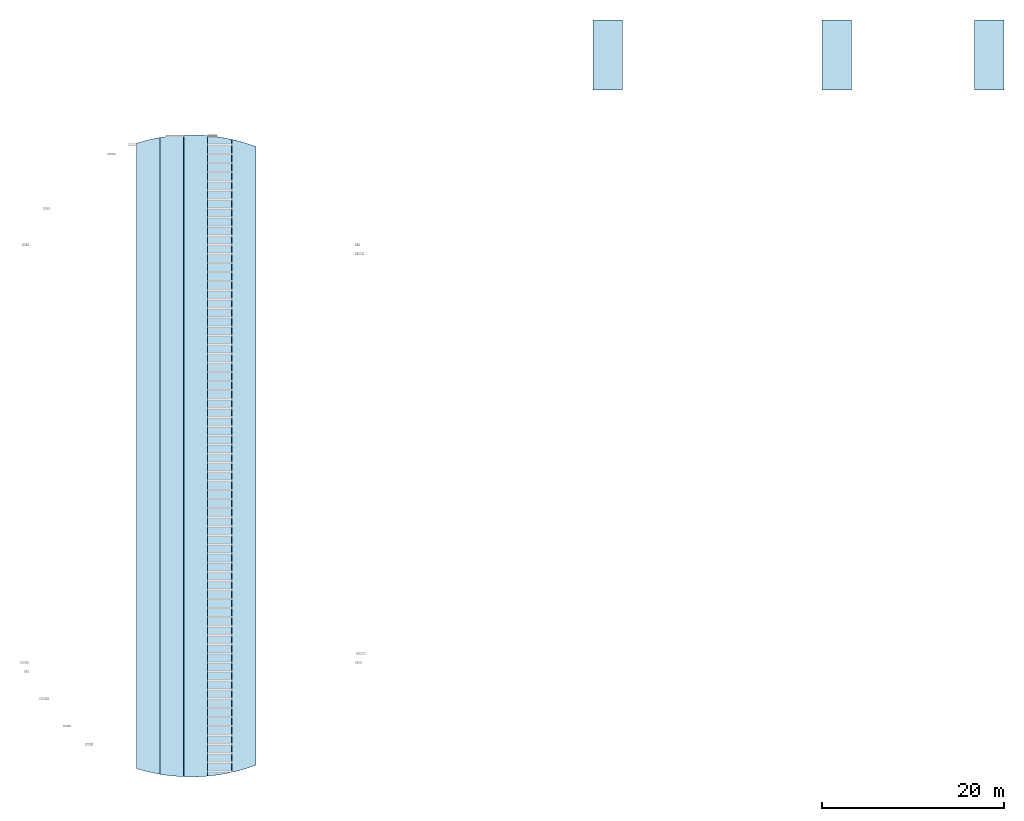
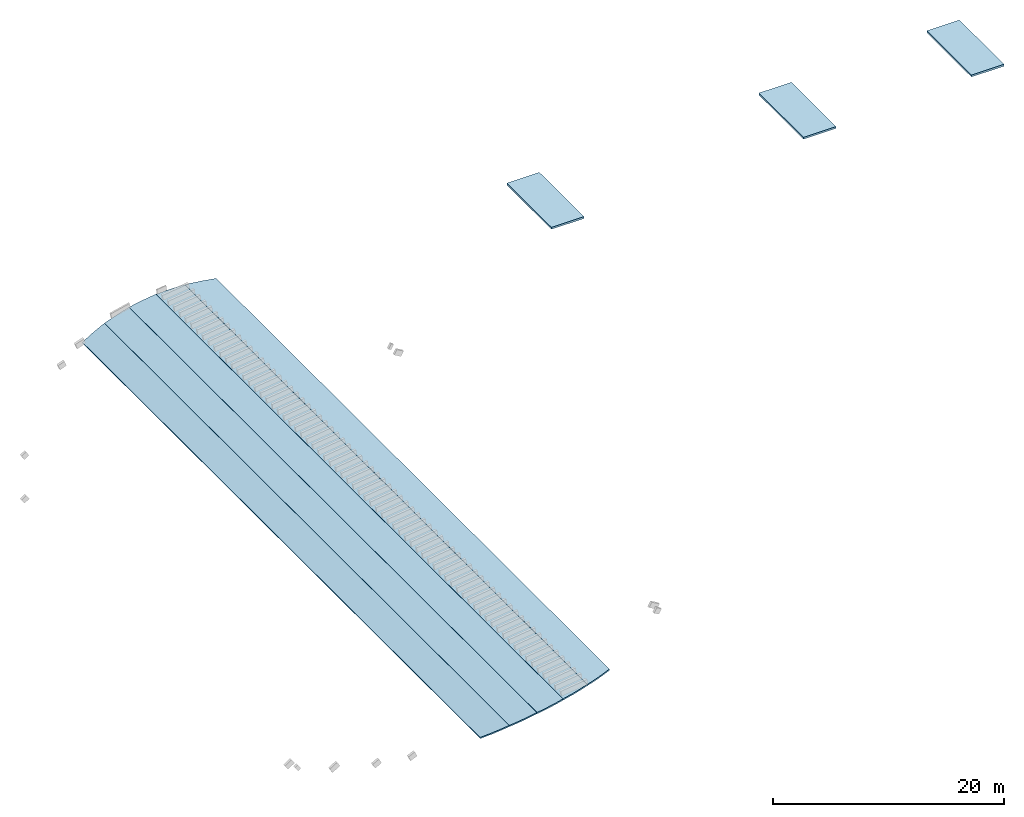
# One storey, part 1 of 2: 8 slabs.
"""IFC4 building model written with IfcOpenShell, lengths in metres."""

from ifc_helpers import new_model, si_unit, direction, frame, origin, place, context, subcontext, project, spatial, polyline, outline, extrude, material, layer, layer_set, type_object, element, save


model = new_model("IFC4")

# Units and contexts
model_context = context("Model", 3, precision=1e-05, world=origin(), true_north=direction((0.0, 1.0)))
body_context = subcontext(model_context, "Body", "Model", "MODEL_VIEW")
ifc_project = project(units=[si_unit("LENGTHUNIT", "METRE"), si_unit("AREAUNIT", "SQUARE_METRE"), si_unit("VOLUMEUNIT", "CUBIC_METRE"), si_unit("PLANEANGLEUNIT", "RADIAN"), si_unit("MASSUNIT", "GRAM", prefix="KILO")], contexts=[model_context])

# Site, building, storey
site_placement = place(None, origin())
site = spatial("IfcSite", under=ifc_project, at=site_placement, CompositionType="ELEMENT")
building_placement = place(site_placement, origin())
building = spatial("IfcBuilding", under=site, at=building_placement, Name="Wasatch Bagh Community Centre", CompositionType="ELEMENT")
storey_placement = place(building_placement, frame((0.0, 0.0, 24.0)))
storey = spatial("IfcBuildingStorey", under=building, at=storey_placement, Name="Upper Roof", CompositionType="ELEMENT", Elevation=24.0)

# Slabs
ifc_material_1 = material(Name="Concrete C35", Category="concrete")
ifc_layer_1 = layer(ifc_material_1, 0.199951171875)
ifc_layer_set_1 = layer_set([ifc_layer_1], Name="Concrete C35")
slab_type_1 = type_object("IfcSlabType", Name="LW head house roof 200", PredefinedType="ROOF", material=ifc_layer_set_1)
slab_1_placement = place(storey_placement, frame((0.0, 0.0, -0.199951171875)))
element("IfcSlab", 1, at=slab_1_placement, inside=storey, type_object=slab_type_1, Name="LW.head.C1.roof", PredefinedType="ROOF", context=body_context, shape_type="SweptSolid", body=[
    extrude(outline(polyline([(80.675048828125, 90.27490234375), (83.925048828125, 90.27490234375), (83.925048828125, 98.0), (80.675048828125, 98.0), (80.675048828125, 90.27490234375)])), origin(), (0.0, 0.0, 1.0), 0.199951171875),
])
slab_2_placement = place(storey_placement, frame((0.0, 0.0, 0.5)))
element("IfcSlab", 2, at=slab_2_placement, inside=storey, type_object=slab_type_1, Name="LW.head.C2.roof", PredefinedType="ROOF", context=body_context, shape_type="SweptSolid", body=[
    extrude(outline(polyline([(105.875, 90.27490234375), (109.125, 90.27490234375), (109.125, 98.0), (105.875, 98.0), (105.875, 90.27490234375)])), origin(), (0.0, 0.0, 1.0), 0.199951171875),
])
slab_3_placement = place(storey_placement, frame((0.0, 0.0, 1.199951171875)))
element("IfcSlab", 3, at=slab_3_placement, inside=storey, type_object=slab_type_1, Name="LW.head.C3.roof", PredefinedType="ROOF", context=body_context, shape_type="SweptSolid", body=[
    extrude(outline(polyline([(122.675048828125, 90.27490234375), (125.925048828125, 90.27490234375), (125.925048828125, 98.0), (122.675048828125, 98.0), (122.675048828125, 90.27490234375)])), origin(), (0.0, 0.0, 1.0), 0.199951171875),
])
ifc_material_2 = material(Name="ASTM A653 Grade 50 steel roof deck assembly", Category="steel")
ifc_layer_2 = layer(ifc_material_2, 0.139892578125)
ifc_layer_set_2 = layer_set([ifc_layer_2], Name="ASTM A653 Grade 50 steel roof deck assembly")
slab_type_2 = type_object("IfcSlabType", Name="MH roof deck", PredefinedType="ROOF", material=ifc_layer_set_2)
slab_4_placement = place(storey_placement, frame((30.39892578125, 84.44287109375, 8.993896484375), z_axis=(-0.280185631731, 0.0, 0.959945837936), x_axis=(0.926710006646, 0.260857234386, 0.270484873607)))
element("IfcSlab", 4, at=slab_4_placement, inside=storey, type_object=slab_type_2, Name="Roof deck 7", PredefinedType="ROOF", context=body_context, shape_type="SweptSolid", body=[
    extrude(outline(polyline([(0.0, 0.0), (1.1399464613296175, -2.42861286636753e-17), (2.177121584936539, -0.05366257269511986), (2.7431427895348026, -0.10974930859218959), (-15.544248532193967, -67.78751231217984), (-16.061486377041422, -67.55088869151612), (-16.984536460604676, -67.07487351111621), (-17.96934419562494, -66.50073793501753), (0.0, 0.0)])), origin(), (0.0, 0.0, -1.0), 0.139892578125),
])
slab_5_placement = place(storey_placement, frame((33.4140625, 85.129638671875, 9.84326171875), z_axis=(-0.230305033906, 0.0, 0.973118487831), x_axis=(0.966177548049, 0.119224488957, 0.228662342505)))
element("IfcSlab", 5, at=slab_5_placement, inside=storey, type_object=slab_type_2, Name="Roof deck 8", PredefinedType="ROOF", context=body_context, shape_type="SweptSolid", body=[
    extrude(outline(polyline([(0.0, 0.0), (1.0259171936503397, 6.938893903907228e-18), (2.235093202288717, -0.06675870055669281), (-6.18926960114569, -70.22243408615972), (-7.379874998467061, -70.00102466486993), (-8.376626435785672, -69.75814061757437), (-8.813946793026771, -69.62915356411725), (-0.45542524789811956, -0.02178527929520548), (0.0, 0.0)])), origin(), (0.0, 0.0, -1.0), 0.139892578125),
])
slab_6_placement = place(storey_placement, frame((36.39990234375, 85.35009765625, 10.5009765625), z_axis=(-0.179776290595, 0.0, 0.983707520221), x_axis=(0.983417392427, -0.024285365615, 0.179723268638)))
element("IfcSlab", 6, at=slab_6_placement, inside=storey, type_object=slab_type_2, Name="Roof deck 9", PredefinedType="ROOF", context=body_context, shape_type="SweptSolid", body=[
    extrude(outline(polyline([(0.0, 0.0), (1.0153523531797504, -2.168404344971009e-18), (1.8542122194461947, -0.040430921485316636), (3.567041980622999, -70.5489263804803), (2.7311347784376725, -70.63004163169366), (1.7169800922145202, -70.67934349290879), (0.89275422138937, -70.67934058742416), (-0.8232535075534566, -0.04002434817520031), (0.0, 0.0)])), origin(), (0.0, 0.0, -1.0), 0.139892578125),
])
slab_7_placement = place(storey_placement, frame((38.23046875, 85.26416015625, 10.83154296875), z_axis=(-0.128781298181, 0.0, 0.991673019316), x_axis=(0.985129587167, -0.114687465891, 0.127931550663)))
element("IfcSlab", 7, at=slab_7_placement, inside=storey, type_object=slab_type_2, Name="Roof deck 10", PredefinedType="ROOF", context=body_context, shape_type="SweptSolid", body=[
    extrude(outline(polyline([(0.0, 0.0), (1.1729397221376865, 9.974659986866641e-18), (2.178374301502122, -0.05571115604256804), (2.707440073731103, -0.11112222267711576), (10.69961085353978, -69.3378277273565), (10.197088957693799, -69.51233480986375), (9.230798196033412, -69.79568016489736), (8.088714330197487, -70.06294788679004), (0.0, 0.0)])), origin(), (0.0, 0.0, -1.0), 0.139892578125),
])
slab_8_placement = place(storey_placement, frame((41.3447265625, 84.740234375, 11.209716796875), z_axis=(-0.077435658475, 0.0, 0.996997351449), x_axis=(0.96103543731, -0.266156682939, 0.074642537213)))
element("IfcSlab", 8, at=slab_8_placement, inside=storey, type_object=slab_type_2, Name="Roof deck 11", PredefinedType="ROOF", context=body_context, shape_type="SweptSolid", body=[
    extrude(outline(polyline([(0.0, 0.0), (1.0016714949876133, -2.168404344971009e-19), (2.0018199487042083, -0.04879632103903403), (2.329279236198307, -0.08096524599318494), (20.45041663800611, -65.70961597221532), (20.1858576603471, -65.90525076472132), (19.352447011420622, -66.46032256248678), (18.49269109151548, -66.97429293328531), (18.082972082491402, -67.19253270156656), (-0.46365212592812594, -0.022912200624288642), (0.0, 0.0)])), origin(), (0.0, 0.0, -1.0), 0.139892578125),
])

save(model, "model.ifc")
